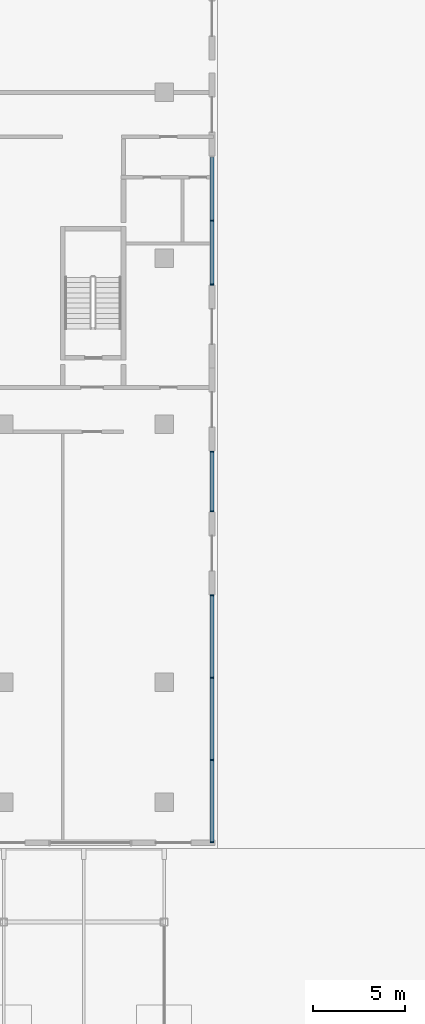
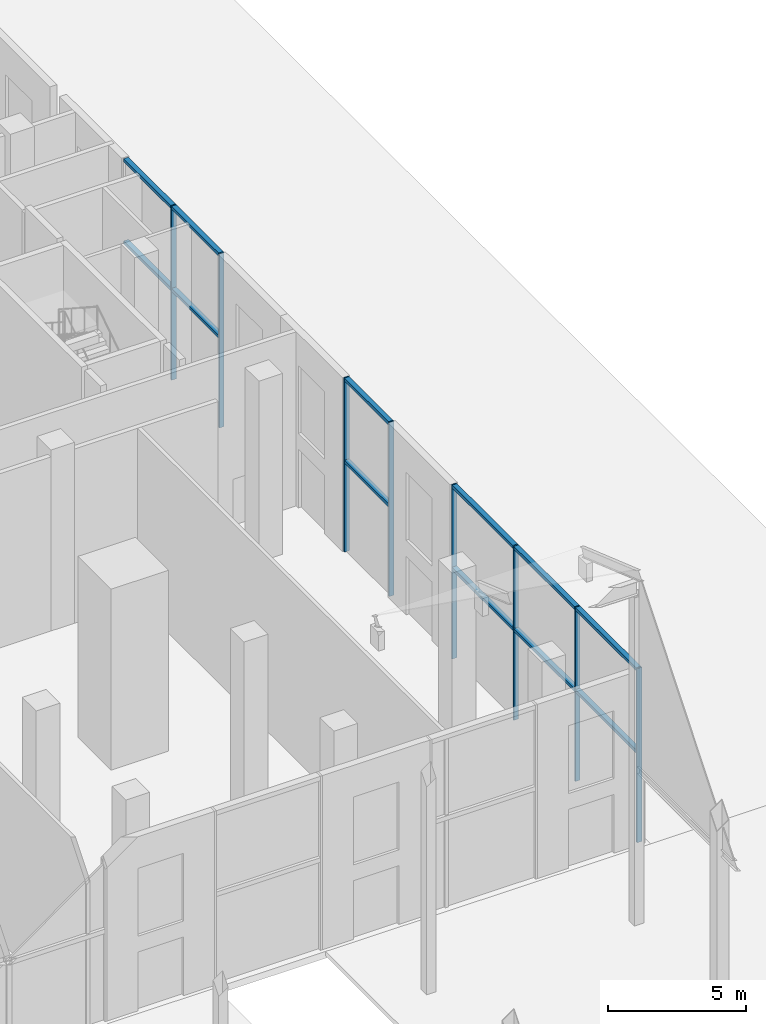
# One storey, part 12 of 31: 20 members, 3 elements without a shape of their own.
"""IFC4 building model written with IfcOpenShell, lengths in metres."""

from ifc_helpers import new_model, si_unit, direction, frame, origin, origin_2d, place, context, subcontext, project, spatial, rectangle, extrude, material, material_profile, profile_set, type_object, element, aggregate, save


model = new_model("IFC4")

# Units and contexts
model_context = context("Model", 3, precision=1e-05, world=origin(), true_north=direction((0.0, 1.0)))
body_context = subcontext(model_context, "Body", "Model", "MODEL_VIEW")
ifc_project = project(units=[si_unit("LENGTHUNIT", "METRE"), si_unit("AREAUNIT", "SQUARE_METRE"), si_unit("VOLUMEUNIT", "CUBIC_METRE"), si_unit("PLANEANGLEUNIT", "RADIAN"), si_unit("MASSUNIT", "GRAM", prefix="KILO")], contexts=[model_context])

# Site, building, storey
site_placement = place(None, origin())
site = spatial("IfcSite", under=ifc_project, at=site_placement, CompositionType="ELEMENT")
building_placement = place(site_placement, origin())
building = spatial("IfcBuilding", under=site, at=building_placement, Name="Bicima Exchange Tower", CompositionType="ELEMENT")
storey_placement = place(building_placement, origin())
storey = spatial("IfcBuildingStorey", under=building, at=storey_placement, Name="L00", CompositionType="ELEMENT", Elevation=0.0)

# Curtain wall, members
ifc_material = material(Name="Anodised bronze aluminium", Category="aluminium")
curtain_wall_type = type_object("IfcCurtainWallType", Name="Lobby glazing", PredefinedType="NOTDEFINED", material=ifc_material)
curtain_wall_1_placement = place(storey_placement, origin())
curtain_wall_1 = element("IfcCurtainWall", 1, at=curtain_wall_1_placement, inside=storey, type_object=curtain_wall_type, Name="Podium glazing L00 east 1", PredefinedType="NOTDEFINED")
ifc_material_profile_1 = material_profile(ifc_material, rectangle(XDim=0.199951171875, YDim=0.06005859375, at=origin_2d()))
ifc_profile_set_1 = profile_set([ifc_material_profile_1], Name="Anodised bronze aluminium")
member_type_1 = type_object("IfcMemberType", Name="Lobby glazing mullion 60 x 200", PredefinedType="MULLION", material=ifc_profile_set_1)
member_1_placement = place(storey_placement, frame((46.10009765625, -53.669921875, 0.0), z_axis=(0.0, 0.0, 1.0), x_axis=(-1.0, 0.0, 0.0)))
member_1 = element("IfcMember", 2, at=member_1_placement, type_object=member_type_1, Name="Lobby glazing mullion 1", PredefinedType="MULLION", context=body_context, shape_type="SweptSolid", body=[
    extrude(rectangle(XDim=0.199951171875, YDim=0.06005859375, at=origin_2d()), origin(), (0.0, 0.0, 1.0), 7.699951171875),
])
member_2_placement = place(storey_placement, frame((46.10009765625, -49.206787109375, 0.0), z_axis=(0.0, 0.0, 1.0), x_axis=(-1.0, 0.0, 0.0)))
member_2 = element("IfcMember", 3, at=member_2_placement, type_object=member_type_1, Name="Lobby glazing mullion 2", PredefinedType="MULLION", context=body_context, shape_type="SweptSolid", body=[
    extrude(rectangle(XDim=0.199951171875, YDim=0.06005859375, at=origin_2d()), origin(), (0.0, 0.0, 1.0), 7.699951171875),
])
member_3_placement = place(storey_placement, frame((46.10009765625, -44.743408203125, 0.0), z_axis=(0.0, 0.0, 1.0), x_axis=(-1.0, 0.0, 0.0)))
member_3 = element("IfcMember", 4, at=member_3_placement, type_object=member_type_1, Name="Lobby glazing mullion 3", PredefinedType="MULLION", context=body_context, shape_type="SweptSolid", body=[
    extrude(rectangle(XDim=0.199951171875, YDim=0.06005859375, at=origin_2d()), origin(), (0.0, 0.0, 1.0), 7.699951171875),
])
member_4_placement = place(storey_placement, frame((46.10009765625, -40.280029296875, 0.0), z_axis=(0.0, 0.0, 1.0), x_axis=(-1.0, 0.0, 0.0)))
member_4 = element("IfcMember", 5, at=member_4_placement, type_object=member_type_1, Name="Lobby glazing mullion 4", PredefinedType="MULLION", context=body_context, shape_type="SweptSolid", body=[
    extrude(rectangle(XDim=0.199951171875, YDim=0.06005859375, at=origin_2d()), origin(), (0.0, 0.0, 1.0), 7.699951171875),
])

curtain_wall_2_placement = place(storey_placement, origin())
curtain_wall_2 = element("IfcCurtainWall", 6, at=curtain_wall_2_placement, inside=storey, type_object=curtain_wall_type, Name="Podium glazing L00 east 3", PredefinedType="NOTDEFINED")
member_5_placement = place(storey_placement, frame((46.10009765625, -35.719970703125, 0.0), z_axis=(0.0, 0.0, 1.0), x_axis=(-1.0, 0.0, 0.0)))
member_5 = element("IfcMember", 7, at=member_5_placement, type_object=member_type_1, Name="Lobby glazing mullion 1", PredefinedType="MULLION", context=body_context, shape_type="SweptSolid", body=[
    extrude(rectangle(XDim=0.199951171875, YDim=0.06005859375, at=origin_2d()), origin(), (0.0, 0.0, 1.0), 7.699951171875),
])
member_6_placement = place(storey_placement, frame((46.10009765625, -32.47998046875, 0.0), z_axis=(0.0, 0.0, 1.0), x_axis=(-1.0, 0.0, 0.0)))
member_6 = element("IfcMember", 8, at=member_6_placement, type_object=member_type_1, Name="Lobby glazing mullion 2", PredefinedType="MULLION", context=body_context, shape_type="SweptSolid", body=[
    extrude(rectangle(XDim=0.199951171875, YDim=0.06005859375, at=origin_2d()), origin(), (0.0, 0.0, 1.0), 7.699951171875),
])

curtain_wall_3_placement = place(storey_placement, origin())
curtain_wall_3 = element("IfcCurtainWall", 9, at=curtain_wall_3_placement, inside=storey, type_object=curtain_wall_type, Name="Podium glazing L00 east 6", PredefinedType="NOTDEFINED")
member_7_placement = place(storey_placement, frame((46.10009765625, -23.419921875, 0.0), z_axis=(0.0, 0.0, 1.0), x_axis=(-1.0, 0.0, 0.0)))
member_7 = element("IfcMember", 10, at=member_7_placement, type_object=member_type_1, Name="Lobby glazing mullion 1", PredefinedType="MULLION", context=body_context, shape_type="SweptSolid", body=[
    extrude(rectangle(XDim=0.199951171875, YDim=0.06005859375, at=origin_2d()), origin(), (0.0, 0.0, 1.0), 7.699951171875),
])
member_8_placement = place(storey_placement, frame((46.10009765625, -19.949951171875, 0.0), z_axis=(0.0, 0.0, 1.0), x_axis=(-1.0, 0.0, 0.0)))
member_8 = element("IfcMember", 11, at=member_8_placement, type_object=member_type_1, Name="Lobby glazing mullion 2", PredefinedType="MULLION", context=body_context, shape_type="SweptSolid", body=[
    extrude(rectangle(XDim=0.199951171875, YDim=0.06005859375, at=origin_2d()), origin(), (0.0, 0.0, 1.0), 7.699951171875),
])

# Member
ifc_material_profile_2 = material_profile(ifc_material, rectangle(XDim=0.199951171875, YDim=0.139892578125, at=origin_2d()))
ifc_profile_set_2 = profile_set([ifc_material_profile_2], Name="Anodised bronze aluminium")
member_type_2 = type_object("IfcMemberType", Name="Lobby glazing transom 140 x 200", PredefinedType="USERDEFINED", material=ifc_profile_set_2)
member_9_placement = place(storey_placement, frame((46.10009765625, -53.639892578125, 4.0), z_axis=(0.0, 1.0, 0.0), x_axis=(-1.0, 0.0, 0.0)))
member_9 = element("IfcMember", 12, at=member_9_placement, type_object=member_type_2, Name="Lobby glazing transom 1.1", ObjectType="TRANSOM", PredefinedType="USERDEFINED", context=body_context, shape_type="SweptSolid", body=[
    extrude(rectangle(XDim=0.199951171875, YDim=0.139892578125, at=origin_2d()), origin(), (0.0, 0.0, 1.0), 4.403076171875),
])

member_10_placement = place(storey_placement, frame((46.10009765625, -53.639892578125, 7.6298828125), z_axis=(0.0, 1.0, 0.0), x_axis=(-1.0, 0.0, 0.0)))
member_10 = element("IfcMember", 13, at=member_10_placement, type_object=member_type_2, Name="Lobby glazing transom 1.2", ObjectType="TRANSOM", PredefinedType="USERDEFINED", context=body_context, shape_type="SweptSolid", body=[
    extrude(rectangle(XDim=0.199951171875, YDim=0.139892578125, at=origin_2d()), origin(), (0.0, 0.0, 1.0), 4.403076171875),
])

member_11_placement = place(storey_placement, frame((46.10009765625, -49.1767578125, 4.0), z_axis=(0.0, 1.0, 0.0), x_axis=(-1.0, 0.0, 0.0)))
member_11 = element("IfcMember", 14, at=member_11_placement, type_object=member_type_2, Name="Lobby glazing transom 2.1", ObjectType="TRANSOM", PredefinedType="USERDEFINED", context=body_context, shape_type="SweptSolid", body=[
    extrude(rectangle(XDim=0.199951171875, YDim=0.139892578125, at=origin_2d()), origin(), (0.0, 0.0, 1.0), 4.403564453125),
])

member_12_placement = place(storey_placement, frame((46.10009765625, -49.1767578125, 7.6298828125), z_axis=(0.0, 1.0, 0.0), x_axis=(-1.0, 0.0, 0.0)))
member_12 = element("IfcMember", 15, at=member_12_placement, type_object=member_type_2, Name="Lobby glazing transom 2.2", ObjectType="TRANSOM", PredefinedType="USERDEFINED", context=body_context, shape_type="SweptSolid", body=[
    extrude(rectangle(XDim=0.199951171875, YDim=0.139892578125, at=origin_2d()), origin(), (0.0, 0.0, 1.0), 4.403564453125),
])

member_13_placement = place(storey_placement, frame((46.10009765625, -44.71337890625, 4.0), z_axis=(0.0, 1.0, 0.0), x_axis=(-1.0, 0.0, 0.0)))
member_13 = element("IfcMember", 16, at=member_13_placement, type_object=member_type_2, Name="Lobby glazing transom 3.1", ObjectType="TRANSOM", PredefinedType="USERDEFINED", context=body_context, shape_type="SweptSolid", body=[
    extrude(rectangle(XDim=0.199951171875, YDim=0.139892578125, at=origin_2d()), origin(), (0.0, 0.0, 1.0), 4.4033203125),
])

member_14_placement = place(storey_placement, frame((46.10009765625, -44.71337890625, 7.6298828125), z_axis=(0.0, 1.0, 0.0), x_axis=(-1.0, 0.0, 0.0)))
member_14 = element("IfcMember", 17, at=member_14_placement, type_object=member_type_2, Name="Lobby glazing transom 3.2", ObjectType="TRANSOM", PredefinedType="USERDEFINED", context=body_context, shape_type="SweptSolid", body=[
    extrude(rectangle(XDim=0.199951171875, YDim=0.139892578125, at=origin_2d()), origin(), (0.0, 0.0, 1.0), 4.4033203125),
])

aggregate(curtain_wall_1, [member_1, member_2, member_3, member_4, member_9, member_10, member_11, member_12, member_13, member_14])

member_15_placement = place(storey_placement, frame((46.10009765625, -35.68994140625, 4.0), z_axis=(0.0, 1.0, 0.0), x_axis=(-1.0, 0.0, 0.0)))
member_15 = element("IfcMember", 18, at=member_15_placement, type_object=member_type_2, Name="Lobby glazing transom 1.1", ObjectType="TRANSOM", PredefinedType="USERDEFINED", context=body_context, shape_type="SweptSolid", body=[
    extrude(rectangle(XDim=0.199951171875, YDim=0.139892578125, at=origin_2d()), origin(), (0.0, 0.0, 1.0), 3.179931640625),
])

member_16_placement = place(storey_placement, frame((46.10009765625, -35.68994140625, 7.6298828125), z_axis=(0.0, 1.0, 0.0), x_axis=(-1.0, 0.0, 0.0)))
member_16 = element("IfcMember", 19, at=member_16_placement, type_object=member_type_2, Name="Lobby glazing transom 1.2", ObjectType="TRANSOM", PredefinedType="USERDEFINED", context=body_context, shape_type="SweptSolid", body=[
    extrude(rectangle(XDim=0.199951171875, YDim=0.139892578125, at=origin_2d()), origin(), (0.0, 0.0, 1.0), 3.179931640625),
])

aggregate(curtain_wall_2, [member_5, member_6, member_15, member_16])

member_17_placement = place(storey_placement, frame((46.10009765625, -23.389892578125, 4.0), z_axis=(0.0, 1.0, 0.0), x_axis=(-1.0, 0.0, 0.0)))
member_17 = element("IfcMember", 20, at=member_17_placement, type_object=member_type_2, Name="Lobby glazing transom 1.1", ObjectType="TRANSOM", PredefinedType="USERDEFINED", context=body_context, shape_type="SweptSolid", body=[
    extrude(rectangle(XDim=0.199951171875, YDim=0.139892578125, at=origin_2d()), origin(), (0.0, 0.0, 1.0), 3.409912109375),
])

member_18_placement = place(storey_placement, frame((46.10009765625, -23.389892578125, 7.6298828125), z_axis=(0.0, 1.0, 0.0), x_axis=(-1.0, 0.0, 0.0)))
member_18 = element("IfcMember", 21, at=member_18_placement, type_object=member_type_2, Name="Lobby glazing transom 1.2", ObjectType="TRANSOM", PredefinedType="USERDEFINED", context=body_context, shape_type="SweptSolid", body=[
    extrude(rectangle(XDim=0.199951171875, YDim=0.139892578125, at=origin_2d()), origin(), (0.0, 0.0, 1.0), 3.409912109375),
])

member_19_placement = place(storey_placement, frame((46.10009765625, -19.919921875, 4.0), z_axis=(0.0, 1.0, 0.0), x_axis=(-1.0, 0.0, 0.0)))
member_19 = element("IfcMember", 22, at=member_19_placement, type_object=member_type_2, Name="Lobby glazing transom 2.1", ObjectType="TRANSOM", PredefinedType="USERDEFINED", context=body_context, shape_type="SweptSolid", body=[
    extrude(rectangle(XDim=0.199951171875, YDim=0.139892578125, at=origin_2d()), origin(), (0.0, 0.0, 1.0), 3.409912109375),
])

member_20_placement = place(storey_placement, frame((46.10009765625, -19.919921875, 7.6298828125), z_axis=(0.0, 1.0, 0.0), x_axis=(-1.0, 0.0, 0.0)))
member_20 = element("IfcMember", 23, at=member_20_placement, type_object=member_type_2, Name="Lobby glazing transom 2.2", ObjectType="TRANSOM", PredefinedType="USERDEFINED", context=body_context, shape_type="SweptSolid", body=[
    extrude(rectangle(XDim=0.199951171875, YDim=0.139892578125, at=origin_2d()), origin(), (0.0, 0.0, 1.0), 3.409912109375),
])

aggregate(curtain_wall_3, [member_7, member_8, member_17, member_18, member_19, member_20])

save(model, "model.ifc")
